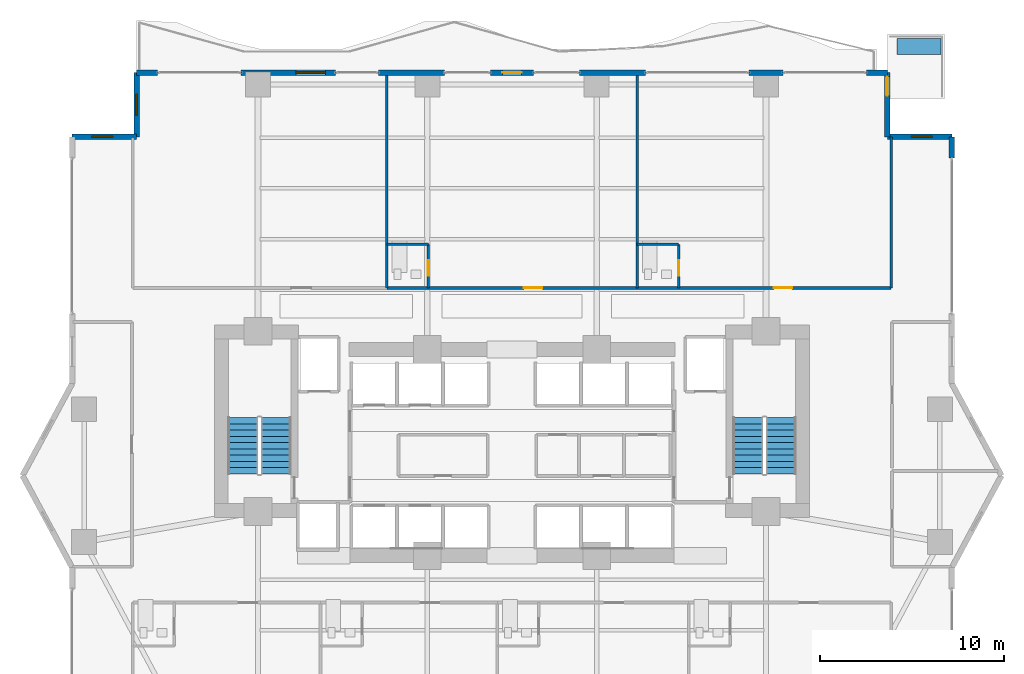
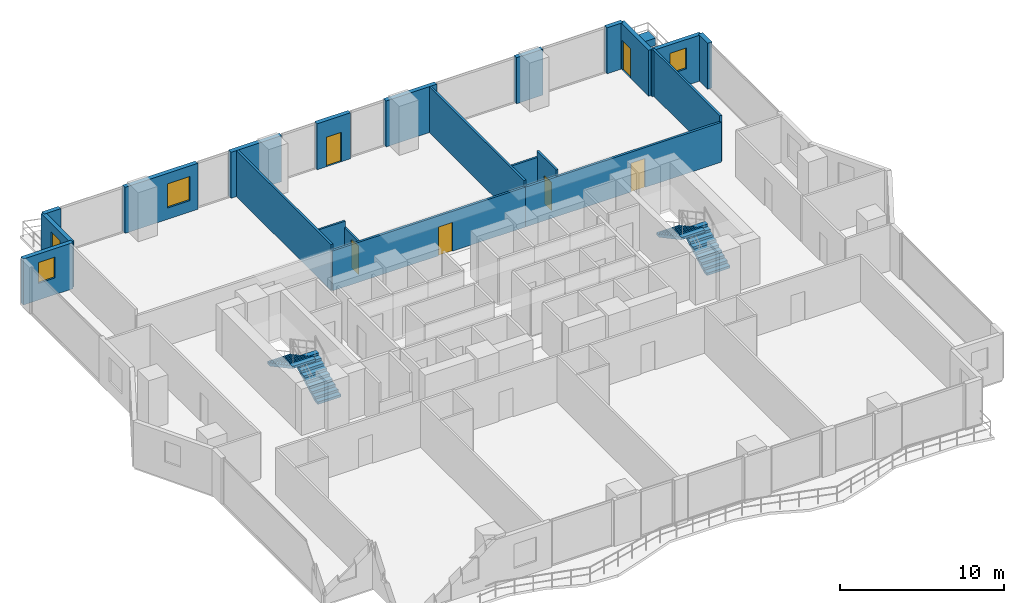
# One storey, part 24 of 28: 21 walls, 6 doors, 4 stair flights, 4 windows, 1 building element part, 10 openings, 2 elements without a shape of their own.
"""IFC4 building model written with IfcOpenShell, lengths in metres."""

from ifc_helpers import new_model, si_unit, direction, frame, frame_2d, origin, origin_2d, place, context, subcontext, project, spatial, polyline, rectangle, outline, extrude, material, layer, layer_set, type_object, element, fill, aggregate, save


model = new_model("IFC4")

# Units and contexts
model_context = context("Model", 3, precision=1e-05, world=origin(), true_north=direction((0.0, 1.0)))
body_context = subcontext(model_context, "Body", "Model", "MODEL_VIEW")
ifc_project = project(units=[si_unit("LENGTHUNIT", "METRE"), si_unit("AREAUNIT", "SQUARE_METRE"), si_unit("VOLUMEUNIT", "CUBIC_METRE"), si_unit("PLANEANGLEUNIT", "RADIAN"), si_unit("MASSUNIT", "GRAM", prefix="KILO")], contexts=[model_context])

# Site, building, storey
site_placement = place(None, origin())
site = spatial("IfcSite", under=ifc_project, at=site_placement, CompositionType="ELEMENT")
building_placement = place(site_placement, origin())
building = spatial("IfcBuilding", under=site, at=building_placement, Name="Zuhayl Quay Hotel", CompositionType="ELEMENT")
storey_placement = place(building_placement, frame((0.0, 0.0, 143.10009765625)))
storey = spatial("IfcBuildingStorey", under=building, at=storey_placement, Name="L36", CompositionType="ELEMENT", Elevation=143.10009765625)

# Wall, opening, window
ifc_material_1 = material(Name="Precast concrete C45/55", Category="concrete")
ifc_layer_1 = layer(ifc_material_1, 0.300048828125, Name="Precast concrete C45/55", Category="concrete")
ifc_layer_set_1 = layer_set([ifc_layer_1], Name="Precast concrete C45/55")
wall_type_1 = type_object("IfcWallType", Name="WL_EXT_300", PredefinedType="STANDARD", material=ifc_layer_set_1)
wall_1_placement = place(storey_placement, frame((-23.89990234375, 24.89990234375, 0.0), z_axis=(0.0, 0.0, 1.0), x_axis=(1.0, 0.0, 0.0)))
wall_1 = element("IfcWall", 1, at=wall_1_placement, inside=storey, type_object=wall_type_1, Name="L36 Exterior Precast Wall ENV_L36_EW06", PredefinedType="STANDARD", context=body_context, shape_type="SweptSolid", body=[
    extrude(rectangle(XDim=3.5, YDim=0.300048828125, at=frame_2d((1.75, 0.0))), origin(), (0.0, 0.0, 1.0), 3.429931640625),
])
opening_1_placement = place(wall_1_placement, frame((1.06494140625, 0.0, 1.25)))
opening_1 = element("IfcOpeningElement", 2, at=opening_1_placement, cuts=wall_1, Name="Opening W01N", PredefinedType="OPENING", context=body_context, shape_type="SweptSolid", body=[
    extrude(rectangle(XDim=1.14990234375, YDim=1.550048828125, at=frame_2d((0.574951171875, 0.77490234375))), frame((0.0, 0.159912109375, 0.0), z_axis=(0.0, -1.0, 0.0), x_axis=(1.0, 0.0, 0.0)), (0.0, 0.0, 1.0), 0.320068359375),
])
ifc_material_2 = material(Name="Dark Ceramic-Fritted Solar Glass", Category="glass")
window_type_1 = type_object("IfcWindowType", Name="WN_NOTCH_1350", PartitioningType="SINGLE_PANEL", PredefinedType="WINDOW", material=ifc_material_2)
window_1_placement = place(opening_1_placement, origin())
window_1 = element("IfcWindow", 3, at=window_1_placement, inside=storey, type_object=window_type_1, Name="L36 Corner Notch Window 6", OverallHeight=1.550048828125, OverallWidth=1.14990234375, PartitioningType="SINGLE_PANEL", PredefinedType="WINDOW", context=body_context, shape_type="SweptSolid", body=[
    extrude(rectangle(XDim=1.14990234375, YDim=1.550048828125, at=frame_2d((0.574951171875, 0.77490234375))), frame((0.0, 0.030029296875, 0.0), z_axis=(0.0, -1.0, 0.0), x_axis=(1.0, 0.0, 0.0)), (0.0, 0.0, 1.0), 0.06005859375),
])
fill(opening_1, window_1)

wall_2_placement = place(storey_placement, frame((-20.39990234375, 24.89990234375, 0.0), z_axis=(0.0, 0.0, 1.0), x_axis=(0.0, 1.0, 0.0)))
wall_2 = element("IfcWall", 4, at=wall_2_placement, inside=storey, type_object=wall_type_1, Name="L36 Exterior Precast Wall ENV_L36_EW07", PredefinedType="STANDARD", context=body_context, shape_type="SweptSolid", body=[
    extrude(rectangle(XDim=3.5, YDim=0.300048828125, at=frame_2d((1.75, 0.0))), origin(), (0.0, 0.0, 1.0), 3.429931640625),
])
opening_2_placement = place(wall_2_placement, frame((1.175048828125, 0.0, 1.25)))
opening_2 = element("IfcOpeningElement", 5, at=opening_2_placement, cuts=wall_2, Name="Opening W01N", PredefinedType="OPENING", context=body_context, shape_type="SweptSolid", body=[
    extrude(rectangle(XDim=1.14990234375, YDim=1.550048828125, at=frame_2d((0.574951171875, 0.77490234375))), frame((0.0, 0.159912109375, 0.0), z_axis=(0.0, -1.0, 0.0), x_axis=(1.0, 0.0, 0.0)), (0.0, 0.0, 1.0), 0.320068359375),
])
window_2_placement = place(opening_2_placement, origin())
window_2 = element("IfcWindow", 6, at=window_2_placement, inside=storey, type_object=window_type_1, Name="L36 Corner Notch Window 7", OverallHeight=1.550048828125, OverallWidth=1.14990234375, PartitioningType="SINGLE_PANEL", PredefinedType="WINDOW", context=body_context, shape_type="SweptSolid", body=[
    extrude(rectangle(XDim=1.14990234375, YDim=1.550048828125, at=frame_2d((0.574951171875, 0.77490234375))), frame((0.0, 0.030029296875, 0.0), z_axis=(0.0, -1.0, 0.0), x_axis=(1.0, 0.0, 0.0)), (0.0, 0.0, 1.0), 0.06005859375),
])
fill(opening_2, window_2)

# Wall
wall_3_placement = place(storey_placement, frame((-20.39990234375, 28.39990234375, 0.0), z_axis=(0.0, 0.0, 1.0), x_axis=(1.0, 0.0, 0.0)))
element("IfcWall", 7, at=wall_3_placement, inside=storey, type_object=wall_type_1, Name="L36 Exterior Precast Wall ENV_L36_N_EW1", PredefinedType="STANDARD", context=body_context, shape_type="SweptSolid", body=[
    extrude(rectangle(XDim=1.14990234375, YDim=0.300048828125, at=frame_2d((0.574951171875, 0.0))), origin(), (0.0, 0.0, 1.0), 3.429931640625),
])

# Wall, opening, window
wall_4_placement = place(storey_placement, frame((-14.719970703125, 28.39990234375, 0.0), z_axis=(0.0, 0.0, 1.0), x_axis=(1.0, 0.0, 0.0)))
wall_4 = element("IfcWall", 8, at=wall_4_placement, inside=storey, type_object=wall_type_1, Name="L36 Exterior Precast Wall ENV_L36_N_EW2", PredefinedType="STANDARD", context=body_context, shape_type="SweptSolid", body=[
    extrude(rectangle(XDim=5.1298828125, YDim=0.300048828125, at=frame_2d((2.56494140625, 0.0))), origin(), (0.0, 0.0, 1.0), 3.429931640625),
])
opening_3_placement = place(wall_4_placement, frame((2.97998046875, 0.0, 0.85009765625)))
opening_3 = element("IfcOpeningElement", 9, at=opening_3_placement, cuts=wall_4, Name="Opening W01", PredefinedType="OPENING", context=body_context, shape_type="SweptSolid", body=[
    extrude(rectangle(XDim=1.60009765625, YDim=1.800048828125, at=frame_2d((0.800048828125, 0.89990234375))), frame((0.0, 0.159912109375, 0.0), z_axis=(0.0, -1.0, 0.0), x_axis=(1.0, 0.0, 0.0)), (0.0, 0.0, 1.0), 0.320068359375),
])
window_type_2 = type_object("IfcWindowType", Name="WN_OPERABLE_1600", PartitioningType="DOUBLE_PANEL_VERTICAL", PredefinedType="WINDOW", material=ifc_material_2)
window_3_placement = place(opening_3_placement, origin())
window_3 = element("IfcWindow", 10, at=window_3_placement, inside=storey, type_object=window_type_2, Name="L36 North Operable Casement Window", OverallHeight=1.800048828125, OverallWidth=1.60009765625, PartitioningType="SINGLE_PANEL", PredefinedType="WINDOW", context=body_context, shape_type="SweptSolid", body=[
    extrude(rectangle(XDim=1.60009765625, YDim=1.800048828125, at=frame_2d((0.800048828125, 0.89990234375))), frame((0.0, 0.030029296875, 0.0), z_axis=(0.0, -1.0, 0.0), x_axis=(1.0, 0.0, 0.0)), (0.0, 0.0, 1.0), 0.06005859375),
])
fill(opening_3, window_3)

# Wall
wall_5_placement = place(storey_placement, frame((-7.25, 28.39990234375, 0.0), z_axis=(0.0, 0.0, 1.0), x_axis=(1.0, 0.0, 0.0)))
element("IfcWall", 11, at=wall_5_placement, inside=storey, type_object=wall_type_1, Name="L36 Exterior Precast Wall ENV_L36_N_EW3", PredefinedType="STANDARD", context=body_context, shape_type="SweptSolid", body=[
    extrude(rectangle(XDim=3.570068359375, YDim=0.300048828125, at=frame_2d((1.78515625, 0.0))), origin(), (0.0, 0.0, 1.0), 3.429931640625),
])

# Wall, opening, door
wall_6_placement = place(storey_placement, frame((-1.175048828125, 28.39990234375, 0.0), z_axis=(0.0, 0.0, 1.0), x_axis=(1.0, 0.0, 0.0)))
wall_6 = element("IfcWall", 12, at=wall_6_placement, inside=storey, type_object=wall_type_1, Name="L36 Exterior Precast Wall ENV_L36_N_EW4", PredefinedType="STANDARD", context=body_context, shape_type="SweptSolid", body=[
    extrude(rectangle(XDim=2.35009765625, YDim=0.300048828125, at=frame_2d((1.175048828125, 0.0))), origin(), (0.0, 0.0, 1.0), 3.429931640625),
])
opening_4_placement = place(wall_6_placement, frame((0.64990234375, 0.0, 0.0)))
opening_4 = element("IfcOpeningElement", 13, at=opening_4_placement, cuts=wall_6, Name="Opening DG1", PredefinedType="OPENING", context=body_context, shape_type="SweptSolid", body=[
    extrude(rectangle(XDim=1.050048828125, YDim=2.199951171875, at=frame_2d((0.52490234375, 1.10009765625))), frame((0.0, 0.159912109375, 0.0), z_axis=(0.0, -1.0, 0.0), x_axis=(1.0, 0.0, 0.0)), (0.0, 0.0, 1.0), 0.320068359375),
])
ifc_material_3 = material(Name="Anodised Aluminium and Dark Solar Glass", Category="aluminium")
door_type_1 = type_object("IfcDoorType", Name="DR_EXT_TERR_1050", OperationType="NOTDEFINED", PredefinedType="DOOR", material=ifc_material_3)
door_1_placement = place(opening_4_placement, origin())
door_1 = element("IfcDoor", 14, at=door_1_placement, inside=storey, type_object=door_type_1, Name="L36 North Rippling Balcony Door", OperationType="SINGLE_SWING_LEFT", OverallHeight=2.199951171875, OverallWidth=1.050048828125, PredefinedType="DOOR", context=body_context, shape_type="SweptSolid", body=[
    extrude(rectangle(XDim=1.050048828125, YDim=2.199951171875, at=frame_2d((0.52490234375, 1.10009765625))), frame((0.0, 0.02490234375, 0.0), z_axis=(0.0, -1.0, 0.0), x_axis=(1.0, 0.0, 0.0)), (0.0, 0.0, 1.0), 0.050048828125),
])
fill(opening_4, door_1)

# Walls
wall_7_placement = place(storey_placement, frame((3.679931640625, 28.39990234375, 0.0), z_axis=(0.0, 0.0, 1.0), x_axis=(1.0, 0.0, 0.0)))
element("IfcWall", 15, at=wall_7_placement, inside=storey, type_object=wall_type_1, Name="L36 Exterior Precast Wall ENV_L36_N_EW5", PredefinedType="STANDARD", context=body_context, shape_type="SweptSolid", body=[
    extrude(rectangle(XDim=3.570068359375, YDim=0.300048828125, at=frame_2d((1.78515625, 0.0))), origin(), (0.0, 0.0, 1.0), 3.429931640625),
])
wall_8_placement = place(storey_placement, frame((12.8798828125, 28.39990234375, 0.0), z_axis=(0.0, 0.0, 1.0), x_axis=(1.0, 0.0, 0.0)))
element("IfcWall", 16, at=wall_8_placement, inside=storey, type_object=wall_type_1, Name="L36 Exterior Precast Wall ENV_L36_N_EW6", PredefinedType="STANDARD", context=body_context, shape_type="SweptSolid", body=[
    extrude(rectangle(XDim=1.840087890625, YDim=0.300048828125, at=frame_2d((0.919921875, 0.0))), origin(), (0.0, 0.0, 1.0), 3.429931640625),
])
wall_9_placement = place(storey_placement, frame((19.25, 28.39990234375, 0.0), z_axis=(0.0, 0.0, 1.0), x_axis=(1.0, 0.0, 0.0)))
element("IfcWall", 17, at=wall_9_placement, inside=storey, type_object=wall_type_1, Name="L36 Exterior Precast Wall ENV_L36_N_EW7", PredefinedType="STANDARD", context=body_context, shape_type="SweptSolid", body=[
    extrude(rectangle(XDim=1.14990234375, YDim=0.300048828125, at=frame_2d((0.574951171875, 0.0))), origin(), (0.0, 0.0, 1.0), 3.429931640625),
])

# Wall, opening, door
wall_10_placement = place(storey_placement, frame((20.39990234375, 28.39990234375, 0.0), z_axis=(0.0, 0.0, 1.0), x_axis=(0.0, -1.0, 0.0)))
wall_10 = element("IfcWall", 18, at=wall_10_placement, inside=storey, type_object=wall_type_1, Name="L36 Exterior Precast Wall ENV_L36_SP_NE", PredefinedType="STANDARD", context=body_context, shape_type="SweptSolid", body=[
    extrude(rectangle(XDim=3.5, YDim=0.300048828125, at=frame_2d((1.75, 0.0))), origin(), (0.0, 0.0, 1.0), 3.429931640625),
])
opening_5_placement = place(wall_10_placement, frame((0.219970703125, 0.0, 0.0)))
opening_5 = element("IfcOpeningElement", 19, at=opening_5_placement, cuts=wall_10, Name="Opening DG1", PredefinedType="OPENING", context=body_context, shape_type="SweptSolid", body=[
    extrude(rectangle(XDim=1.050048828125, YDim=2.199951171875, at=frame_2d((0.52490234375, 1.10009765625))), frame((0.0, 0.159912109375, 0.0), z_axis=(0.0, -1.0, 0.0), x_axis=(1.0, 0.0, 0.0)), (0.0, 0.0, 1.0), 0.320068359375),
])
door_2_placement = place(opening_5_placement, origin())
door_2 = element("IfcDoor", 20, at=door_2_placement, inside=storey, type_object=door_type_1, Name="L36 Spiral Sky-Terrace NE Access Door", OperationType="SINGLE_SWING_LEFT", OverallHeight=2.199951171875, OverallWidth=1.050048828125, PredefinedType="DOOR", context=body_context, shape_type="SweptSolid", body=[
    extrude(rectangle(XDim=1.050048828125, YDim=2.199951171875, at=frame_2d((0.52490234375, 1.10009765625))), frame((0.0, 0.02490234375, 0.0), z_axis=(0.0, -1.0, 0.0), x_axis=(1.0, 0.0, 0.0)), (0.0, 0.0, 1.0), 0.050048828125),
])
fill(opening_5, door_2)

# Wall, opening, window
wall_11_placement = place(storey_placement, frame((20.39990234375, 24.89990234375, 0.0), z_axis=(0.0, 0.0, 1.0), x_axis=(1.0, 0.0, 0.0)))
wall_11 = element("IfcWall", 21, at=wall_11_placement, inside=storey, type_object=wall_type_1, Name="L36 Exterior Precast Wall ENV_L36_EW10", PredefinedType="STANDARD", context=body_context, shape_type="SweptSolid", body=[
    extrude(rectangle(XDim=3.5, YDim=0.300048828125, at=frame_2d((1.75, 0.0))), origin(), (0.0, 0.0, 1.0), 3.429931640625),
])
opening_6_placement = place(wall_11_placement, frame((1.284912109375, 0.0, 1.25)))
opening_6 = element("IfcOpeningElement", 22, at=opening_6_placement, cuts=wall_11, Name="Opening W01N", PredefinedType="OPENING", context=body_context, shape_type="SweptSolid", body=[
    extrude(rectangle(XDim=1.14990234375, YDim=1.550048828125, at=frame_2d((0.574951171875, 0.77490234375))), frame((0.0, 0.159912109375, 0.0), z_axis=(0.0, -1.0, 0.0), x_axis=(1.0, 0.0, 0.0)), (0.0, 0.0, 1.0), 0.320068359375),
])
window_4_placement = place(opening_6_placement, origin())
window_4 = element("IfcWindow", 23, at=window_4_placement, inside=storey, type_object=window_type_1, Name="L36 Corner Notch Window 10", OverallHeight=1.550048828125, OverallWidth=1.14990234375, PartitioningType="SINGLE_PANEL", PredefinedType="WINDOW", context=body_context, shape_type="SweptSolid", body=[
    extrude(rectangle(XDim=1.14990234375, YDim=1.550048828125, at=frame_2d((0.574951171875, 0.77490234375))), frame((0.0, 0.030029296875, 0.0), z_axis=(0.0, -1.0, 0.0), x_axis=(1.0, 0.0, 0.0)), (0.0, 0.0, 1.0), 0.06005859375),
])
fill(opening_6, window_4)

# Walls
wall_12_placement = place(storey_placement, frame((23.89990234375, 24.89990234375, 0.0), z_axis=(0.0, 0.0, 1.0), x_axis=(0.0, -1.0, 0.0)))
element("IfcWall", 24, at=wall_12_placement, inside=storey, type_object=wall_type_1, Name="L36 Exterior Precast Wall ENV_L36_E11_EW1", PredefinedType="STANDARD", context=body_context, shape_type="SweptSolid", body=[
    extrude(rectangle(XDim=1.14990234375, YDim=0.300048828125, at=frame_2d((0.574951171875, 0.0))), origin(), (0.0, 0.0, 1.0), 3.429931640625),
])
ifc_material_4 = material(Name="Acoustic Gypsum Partition STC-58")
ifc_layer_2 = layer(ifc_material_4, 0.14990234375, Name="Acoustic Gypsum Partition STC-58")
ifc_layer_set_2 = layer_set([ifc_layer_2], Name="Acoustic Gypsum Partition STC-58")
wall_type_2 = type_object("IfcWallType", Name="WL_PART_150", PredefinedType="PARTITIONING", material=ifc_layer_set_2)
wall_13_placement = place(storey_placement, frame((-6.800048828125, 16.699951171875, 0.0), z_axis=(0.0, 0.0, 1.0), x_axis=(0.0, 1.0, 0.0)))
element("IfcWall", 25, at=wall_13_placement, inside=storey, type_object=wall_type_2, Name="L36 Partition IW_L36_NSAL_0_E", PredefinedType="PARTITIONING", context=body_context, shape_type="SweptSolid", body=[
    extrude(rectangle(XDim=11.64013671875, YDim=0.14990234375, at=frame_2d((5.820068359375, 0.0))), origin(), (0.0, 0.0, 1.0), 3.429931640625),
])
wall_14_placement = place(storey_placement, frame((6.800048828125, 16.699951171875, 0.0), z_axis=(0.0, 0.0, 1.0), x_axis=(0.0, 1.0, 0.0)))
element("IfcWall", 26, at=wall_14_placement, inside=storey, type_object=wall_type_2, Name="L36 Partition IW_L36_NU02_E", PredefinedType="PARTITIONING", context=body_context, shape_type="SweptSolid", body=[
    extrude(rectangle(XDim=11.6201171875, YDim=0.14990234375, at=frame_2d((5.81005859375, 0.0))), origin(), (0.0, 0.0, 1.0), 3.429931640625),
])
wall_15_placement = place(storey_placement, frame((20.60009765625, 16.699951171875, 0.0), z_axis=(0.0, 0.0, 1.0), x_axis=(0.0, 1.0, 0.0)))
element("IfcWall", 27, at=wall_15_placement, inside=storey, type_object=wall_type_2, Name="L36 Partition IW_L36_NU03_E", PredefinedType="PARTITIONING", context=body_context, shape_type="SweptSolid", body=[
    extrude(rectangle(XDim=8.199951171875, YDim=0.14990234375, at=frame_2d((4.10009765625, 0.0))), origin(), (0.0, 0.0, 1.0), 3.429931640625),
])

# Wall, opening, door
ifc_layer_3 = layer(ifc_material_4, 0.159912109375, Name="Acoustic Gypsum Partition STC-58")
ifc_layer_set_3 = layer_set([ifc_layer_3], Name="Acoustic Gypsum Partition STC-58")
wall_type_3 = type_object("IfcWallType", Name="WL_PART_CORR_160", PredefinedType="PARTITIONING", material=ifc_layer_set_3)
wall_16_placement = place(storey_placement, frame((-6.800048828125, 16.699951171875, 0.0), z_axis=(0.0, 0.0, 1.0), x_axis=(1.0, 0.0, 0.0)))
wall_16 = element("IfcWall", 28, at=wall_16_placement, inside=storey, type_object=wall_type_3, Name="L36 Partition IW_L36_NU02_COR", PredefinedType="PARTITIONING", context=body_context, shape_type="SweptSolid", body=[
    extrude(rectangle(XDim=13.60009765625, YDim=0.159912109375, at=frame_2d((6.800048828125, 0.0))), origin(), (0.0, 0.0, 1.0), 2.972900390625),
])
opening_7_placement = place(wall_16_placement, frame((7.449951171875, 0.0, 0.0)))
opening_7 = element("IfcOpeningElement", 29, at=opening_7_placement, cuts=wall_16, Name="Opening D03L", PredefinedType="OPENING", context=body_context, shape_type="SweptSolid", body=[
    extrude(rectangle(XDim=1.0, YDim=2.14990234375, at=frame_2d((0.5, 1.074951171875))), frame((0.0, 0.08984375, 0.0), z_axis=(0.0, -1.0, 0.0), x_axis=(1.0, 0.0, 0.0)), (0.0, 0.0, 1.0), 0.179931640625),
])
ifc_material_5 = material(Name="Solid Walnut Acoustic Fire Door")
door_type_2 = type_object("IfcDoorType", Name="DR_SUITE_1000", OperationType="NOTDEFINED", PredefinedType="DOOR", material=ifc_material_5)
door_3_placement = place(opening_7_placement, origin())
door_3 = element("IfcDoor", 30, at=door_3_placement, inside=storey, type_object=door_type_2, Name="L36 Executive Suite L36-02 Entrance Door", OperationType="SINGLE_SWING_LEFT", OverallHeight=2.14990234375, OverallWidth=1.0, PredefinedType="DOOR", context=body_context, shape_type="SweptSolid", body=[
    extrude(rectangle(XDim=1.0, YDim=2.14990234375, at=frame_2d((0.5, 1.074951171875))), frame((0.0, 0.02490234375, 0.0), z_axis=(0.0, -1.0, 0.0), x_axis=(1.0, 0.0, 0.0)), (0.0, 0.0, 1.0), 0.050048828125),
])
fill(opening_7, door_3)

wall_17_placement = place(storey_placement, frame((6.800048828125, 16.699951171875, 0.0), z_axis=(0.0, 0.0, 1.0), x_axis=(1.0, 0.0, 0.0)))
wall_17 = element("IfcWall", 31, at=wall_17_placement, inside=storey, type_object=wall_type_3, Name="L36 Partition IW_L36_NU03_COR", PredefinedType="PARTITIONING", context=body_context, shape_type="SweptSolid", body=[
    extrude(rectangle(XDim=13.800048828125, YDim=0.159912109375, at=frame_2d((6.89990234375, 0.0))), origin(), (0.0, 0.0, 1.0), 2.972900390625),
])
opening_8_placement = place(wall_17_placement, frame((7.425048828125, 0.0, 0.0)))
opening_8 = element("IfcOpeningElement", 32, at=opening_8_placement, cuts=wall_17, Name="Opening D03L", PredefinedType="OPENING", context=body_context, shape_type="SweptSolid", body=[
    extrude(rectangle(XDim=1.0, YDim=2.14990234375, at=frame_2d((0.5, 1.074951171875))), frame((0.0, 0.08984375, 0.0), z_axis=(0.0, -1.0, 0.0), x_axis=(1.0, 0.0, 0.0)), (0.0, 0.0, 1.0), 0.179931640625),
])
door_4_placement = place(opening_8_placement, origin())
door_4 = element("IfcDoor", 33, at=door_4_placement, inside=storey, type_object=door_type_2, Name="L36 Executive Suite L36-03 Entrance Door", OperationType="SINGLE_SWING_LEFT", OverallHeight=2.14990234375, OverallWidth=1.0, PredefinedType="DOOR", context=body_context, shape_type="SweptSolid", body=[
    extrude(rectangle(XDim=1.0, YDim=2.14990234375, at=frame_2d((0.5, 1.074951171875))), frame((0.0, 0.02490234375, 0.0), z_axis=(0.0, -1.0, 0.0), x_axis=(1.0, 0.0, 0.0)), (0.0, 0.0, 1.0), 0.050048828125),
])
fill(opening_8, door_4)

ifc_material_6 = material(Name="Moisture-Resistant Sanitarychase Gypsum")
ifc_layer_4 = layer(ifc_material_6, 0.135009765625, Name="Moisture-Resistant Sanitarychase Gypsum")
ifc_layer_set_4 = layer_set([ifc_layer_4], Name="Moisture-Resistant Sanitarychase Gypsum")
wall_type_4 = type_object("IfcWallType", Name="WL_PART_PLUMB_150", PredefinedType="PLUMBINGWALL", material=ifc_layer_set_4)
wall_18_placement = place(storey_placement, frame((-4.5400390625, 16.699951171875, 0.0), z_axis=(0.0, 0.0, 1.0), x_axis=(0.0, 1.0, 0.0)))
wall_18 = element("IfcWall", 34, at=wall_18_placement, inside=storey, type_object=wall_type_4, Name="L36 Partition IW_L36_NU02_BE", PredefinedType="PLUMBINGWALL", context=body_context, shape_type="SweptSolid", body=[
    extrude(rectangle(XDim=2.360107421875, YDim=0.135009765625, at=frame_2d((1.18017578125, 0.0))), origin(), (0.0, 0.0, 1.0), 2.5029296875),
])
opening_9_placement = place(wall_18_placement, frame((0.64990234375, 0.0, 0.0)))
opening_9 = element("IfcOpeningElement", 35, at=opening_9_placement, cuts=wall_18, Name="Opening D04", PredefinedType="OPENING", context=body_context, shape_type="SweptSolid", body=[
    extrude(rectangle(XDim=0.85009765625, YDim=2.10009765625, at=frame_2d((0.425048828125, 1.050048828125))), frame((0.0, 0.077392578125, 0.0), z_axis=(0.0, -1.0, 0.0), x_axis=(1.0, 0.0, 0.0)), (0.0, 0.0, 1.0), 0.155029296875),
])
ifc_material_7 = material(Name="Moisture-Resistant Walnut Veneer")
door_type_3 = type_object("IfcDoorType", Name="DR_BATH_850", OperationType="NOTDEFINED", PredefinedType="DOOR", material=ifc_material_7)
door_5_placement = place(opening_9_placement, origin())
door_5 = element("IfcDoor", 36, at=door_5_placement, inside=storey, type_object=door_type_3, Name="L36 Executive Suite L36-02 En-Suite Door", OperationType="SINGLE_SWING_RIGHT", OverallHeight=2.10009765625, OverallWidth=0.85009765625, PredefinedType="DOOR", context=body_context, shape_type="SweptSolid", body=[
    extrude(rectangle(XDim=0.85009765625, YDim=2.10009765625, at=frame_2d((0.425048828125, 1.050048828125))), frame((0.0, 0.02490234375, 0.0), z_axis=(0.0, -1.0, 0.0), x_axis=(1.0, 0.0, 0.0)), (0.0, 0.0, 1.0), 0.050048828125),
])
fill(opening_9, door_5)

wall_19_placement = place(storey_placement, frame((9.06005859375, 16.699951171875, 0.0), z_axis=(0.0, 0.0, 1.0), x_axis=(0.0, 1.0, 0.0)))
wall_19 = element("IfcWall", 37, at=wall_19_placement, inside=storey, type_object=wall_type_4, Name="L36 Partition IW_L36_NU03_BE", PredefinedType="PLUMBINGWALL", context=body_context, shape_type="SweptSolid", body=[
    extrude(rectangle(XDim=2.360107421875, YDim=0.135009765625, at=frame_2d((1.18017578125, 0.0))), origin(), (0.0, 0.0, 1.0), 3.429931640625),
])
opening_10_placement = place(wall_19_placement, frame((0.64990234375, 0.0, 0.0)))
opening_10 = element("IfcOpeningElement", 38, at=opening_10_placement, cuts=wall_19, Name="Opening D04", PredefinedType="OPENING", context=body_context, shape_type="SweptSolid", body=[
    extrude(rectangle(XDim=0.85009765625, YDim=2.10009765625, at=frame_2d((0.425048828125, 1.050048828125))), frame((0.0, 0.077392578125, 0.0), z_axis=(0.0, -1.0, 0.0), x_axis=(1.0, 0.0, 0.0)), (0.0, 0.0, 1.0), 0.155029296875),
])
door_6_placement = place(opening_10_placement, origin())
door_6 = element("IfcDoor", 39, at=door_6_placement, inside=storey, type_object=door_type_3, Name="L36 Executive Suite L36-03 En-Suite Door", OperationType="SINGLE_SWING_RIGHT", OverallHeight=2.10009765625, OverallWidth=0.85009765625, PredefinedType="DOOR", context=body_context, shape_type="SweptSolid", body=[
    extrude(rectangle(XDim=0.85009765625, YDim=2.10009765625, at=frame_2d((0.425048828125, 1.050048828125))), frame((0.0, 0.02490234375, 0.0), z_axis=(0.0, -1.0, 0.0), x_axis=(1.0, 0.0, 0.0)), (0.0, 0.0, 1.0), 0.050048828125),
])
fill(opening_10, door_6)

# Walls
for number, where, z_axis, x_axis, name in (
    (40, (-6.800048828125, 19.06005859375, 0.0), (0.0, 0.0, 1.0), (1.0, 0.0, 0.0), "L36 Partition IW_L36_NU02_BN"),
    (41, (6.800048828125, 19.06005859375, 0.0), (0.0, 0.0, 1.0), (1.0, 0.0, 0.0), "L36 Partition IW_L36_NU03_BN"),
):
    element("IfcWall", number, at=place(storey_placement, frame(where, z_axis=z_axis, x_axis=x_axis)), inside=storey, type_object=wall_type_4, Name=name, PredefinedType="PLUMBINGWALL", context=body_context, shape_type="SweptSolid", body=[
        extrude(rectangle(XDim=2.260009765625, YDim=0.135009765625, at=frame_2d((1.1298828125, 0.0))), origin(), (0.0, 0.0, 1.0), 2.972900390625),
    ])

# Stair, stair flights
ifc_material_8 = material(Name="Concrete C45/55", Category="concrete")
stair_type = type_object("IfcStairType", Name="ST_DOGLEG_TOWER", PredefinedType="HALF_TURN_STAIR", material=ifc_material_8)
stair_1_placement = place(storey_placement, origin())
stair_1 = element("IfcStair", 42, at=stair_1_placement, inside=storey, type_object=stair_type, Name="L36 Smokeproof Exit Stair ST1", PredefinedType="HALF_TURN_STAIR")
ifc_layer_5 = layer(ifc_material_8, 0.159912109375, Name="Concrete C45/55", Category="concrete")
ifc_layer_set_5 = layer_set([ifc_layer_5], Name="Concrete C45/55")
stair_flight_type = type_object("IfcStairFlightType", Name="SF_CONC_164", PredefinedType="STRAIGHT", material=ifc_layer_set_5)
stair_flight_1_placement = place(storey_placement, frame((-12.820068359375, 6.590087890625, 0.0), z_axis=(0.0, 0.0, 1.0), x_axis=(0.0, 1.0, 0.0)))
stair_flight_1 = element("IfcStairFlight", 43, at=stair_flight_1_placement, type_object=stair_flight_type, Name="ST1 flight 1", NumberOfRisers=10, NumberOfTreads=9, PredefinedType="STRAIGHT", RiserHeight=0.1825, TreadLength=0.34, context=body_context, shape_type="SweptSolid", body=[
    extrude(outline(polyline([(0.0, 0.0), (0.0, 0.1826171875), (0.340087890625, 0.1826171875), (0.340087890625, 0.364990234375), (0.679931640625, 0.364990234375), (0.679931640625, 0.547607421875), (1.02001953125, 0.547607421875), (1.02001953125, 0.72998046875), (1.360107421875, 0.72998046875), (1.360107421875, 0.91259765625), (1.699951171875, 0.91259765625), (1.699951171875, 1.094970703125), (2.0400390625, 1.094970703125), (2.0400390625, 1.277587890625), (2.3798828125, 1.277587890625), (2.3798828125, 1.4599609375), (2.719970703125, 1.4599609375), (2.719970703125, 1.642578125), (3.06005859375, 1.642578125), (3.06005859375, 1.824951171875), (3.06005859375, 1.472412109375), (0.31689453125, 0.0), (0.0, 0.0)])), frame((0.0, 0.81982421875, 0.0), z_axis=(0.0, -1.0, 0.0), x_axis=(1.0, 0.0, 0.0)), (0.0, 0.0, 1.0), 1.639892578125),
])
stair_flight_2_placement = place(storey_placement, frame((-14.610107421875, 9.64990234375, 1.824951171875), z_axis=(0.0, 0.0, 1.0), x_axis=(0.0, -1.0, 0.0)))
stair_flight_2 = element("IfcStairFlight", 44, at=stair_flight_2_placement, type_object=stair_flight_type, Name="ST1 flight 2", NumberOfRisers=10, NumberOfTreads=9, PredefinedType="STRAIGHT", RiserHeight=0.1825, TreadLength=0.34, context=body_context, shape_type="SweptSolid", body=[
    extrude(outline(polyline([(0.0, 0.0), (0.0, 0.1826171875), (0.340087890625, 0.1826171875), (0.340087890625, 0.364990234375), (0.679931640625, 0.364990234375), (0.679931640625, 0.547607421875), (1.02001953125, 0.547607421875), (1.02001953125, 0.72998046875), (1.360107421875, 0.72998046875), (1.360107421875, 0.91259765625), (1.699951171875, 0.91259765625), (1.699951171875, 1.094970703125), (2.0400390625, 1.094970703125), (2.0400390625, 1.277587890625), (2.3798828125, 1.277587890625), (2.3798828125, 1.4599609375), (2.719970703125, 1.4599609375), (2.719970703125, 1.642578125), (3.06005859375, 1.642578125), (3.06005859375, 1.824951171875), (3.06005859375, 1.472412109375), (0.31689453125, 0.0), (0.0, 0.0)])), frame((0.0, 0.81982421875, 0.0), z_axis=(0.0, -1.0, 0.0), x_axis=(1.0, 0.0, 0.0)), (0.0, 0.0, 1.0), 1.639892578125),
])
aggregate(stair_1, [stair_flight_1, stair_flight_2])

stair_2_placement = place(storey_placement, origin())
stair_2 = element("IfcStair", 45, at=stair_2_placement, inside=storey, type_object=stair_type, Name="L36 Smokeproof Exit Stair ST2", PredefinedType="HALF_TURN_STAIR")
stair_flight_3_placement = place(storey_placement, frame((14.610107421875, 6.590087890625, 0.0), z_axis=(0.0, 0.0, 1.0), x_axis=(0.0, 1.0, 0.0)))
stair_flight_3 = element("IfcStairFlight", 46, at=stair_flight_3_placement, type_object=stair_flight_type, Name="ST2 flight 1", NumberOfRisers=10, NumberOfTreads=9, PredefinedType="STRAIGHT", RiserHeight=0.1825, TreadLength=0.34, context=body_context, shape_type="SweptSolid", body=[
    extrude(outline(polyline([(0.0, 0.0), (0.0, 0.1826171875), (0.340087890625, 0.1826171875), (0.340087890625, 0.364990234375), (0.679931640625, 0.364990234375), (0.679931640625, 0.547607421875), (1.02001953125, 0.547607421875), (1.02001953125, 0.72998046875), (1.360107421875, 0.72998046875), (1.360107421875, 0.91259765625), (1.699951171875, 0.91259765625), (1.699951171875, 1.094970703125), (2.0400390625, 1.094970703125), (2.0400390625, 1.277587890625), (2.3798828125, 1.277587890625), (2.3798828125, 1.4599609375), (2.719970703125, 1.4599609375), (2.719970703125, 1.642578125), (3.06005859375, 1.642578125), (3.06005859375, 1.824951171875), (3.06005859375, 1.472412109375), (0.31689453125, 0.0), (0.0, 0.0)])), frame((0.0, 0.81982421875, 0.0), z_axis=(0.0, -1.0, 0.0), x_axis=(1.0, 0.0, 0.0)), (0.0, 0.0, 1.0), 1.639892578125),
])
stair_flight_4_placement = place(storey_placement, frame((12.820068359375, 9.64990234375, 1.824951171875), z_axis=(0.0, 0.0, 1.0), x_axis=(0.0, -1.0, 0.0)))
stair_flight_4 = element("IfcStairFlight", 47, at=stair_flight_4_placement, type_object=stair_flight_type, Name="ST2 flight 2", NumberOfRisers=10, NumberOfTreads=9, PredefinedType="STRAIGHT", RiserHeight=0.1825, TreadLength=0.34, context=body_context, shape_type="SweptSolid", body=[
    extrude(outline(polyline([(0.0, 0.0), (0.0, 0.1826171875), (0.340087890625, 0.1826171875), (0.340087890625, 0.364990234375), (0.679931640625, 0.364990234375), (0.679931640625, 0.547607421875), (1.02001953125, 0.547607421875), (1.02001953125, 0.72998046875), (1.360107421875, 0.72998046875), (1.360107421875, 0.91259765625), (1.699951171875, 0.91259765625), (1.699951171875, 1.094970703125), (2.0400390625, 1.094970703125), (2.0400390625, 1.277587890625), (2.3798828125, 1.277587890625), (2.3798828125, 1.4599609375), (2.719970703125, 1.4599609375), (2.719970703125, 1.642578125), (3.06005859375, 1.642578125), (3.06005859375, 1.824951171875), (3.06005859375, 1.472412109375), (0.31689453125, 0.0), (0.0, 0.0)])), frame((0.0, 0.81982421875, 0.0), z_axis=(0.0, -1.0, 0.0), x_axis=(1.0, 0.0, 0.0)), (0.0, 0.0, 1.0), 1.639892578125),
])
aggregate(stair_2, [stair_flight_3, stair_flight_4])

# Building element part
ifc_layer_6 = layer(ifc_material_1, 0.550048828125, Name="Precast concrete C45/55", Category="concrete")
ifc_layer_set_6 = layer_set([ifc_layer_6], Name="Precast concrete C45/55")
building_element_part_type = type_object("IfcBuildingElementPartType", Name="PT_PLANTER_KERB", PredefinedType="PRECASTPANEL", material=ifc_layer_set_6)
building_element_part_placement = place(storey_placement, frame((22.110107421875, 29.81005859375, 0.0), z_axis=(0.0, 0.0, 1.0), x_axis=(1.0, 0.0, 0.0)))
element("IfcBuildingElementPart", 48, at=building_element_part_placement, inside=storey, type_object=building_element_part_type, Name="L36 Spiral Sky-Terrace Planter Box NE", PredefinedType="PRECASTPANEL", context=body_context, shape_type="SweptSolid", body=[
    extrude(rectangle(XDim=2.39990234375, YDim=0.85009765625, at=origin_2d()), origin(), (0.0, 0.0, 1.0), 0.550048828125),
])

save(model, "model.ifc")
